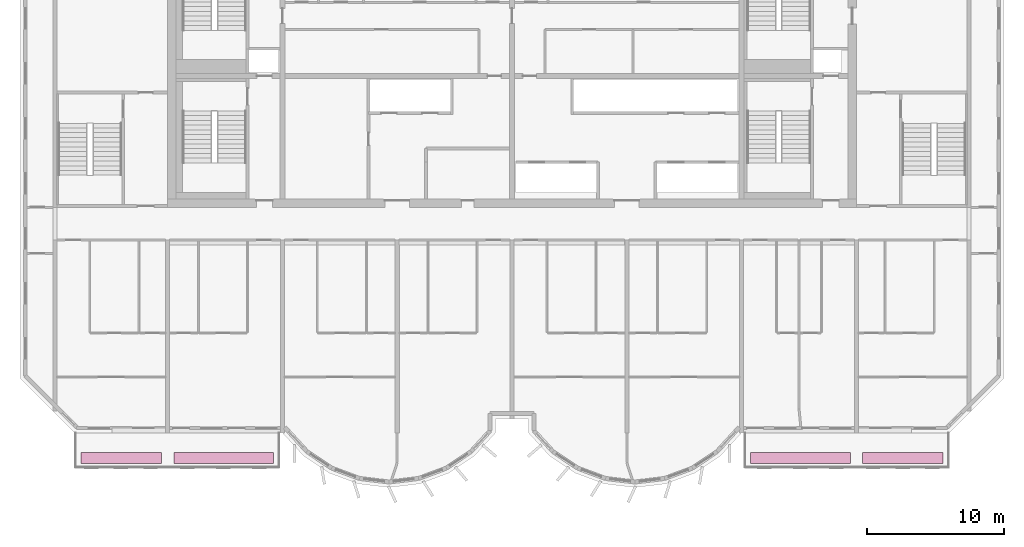
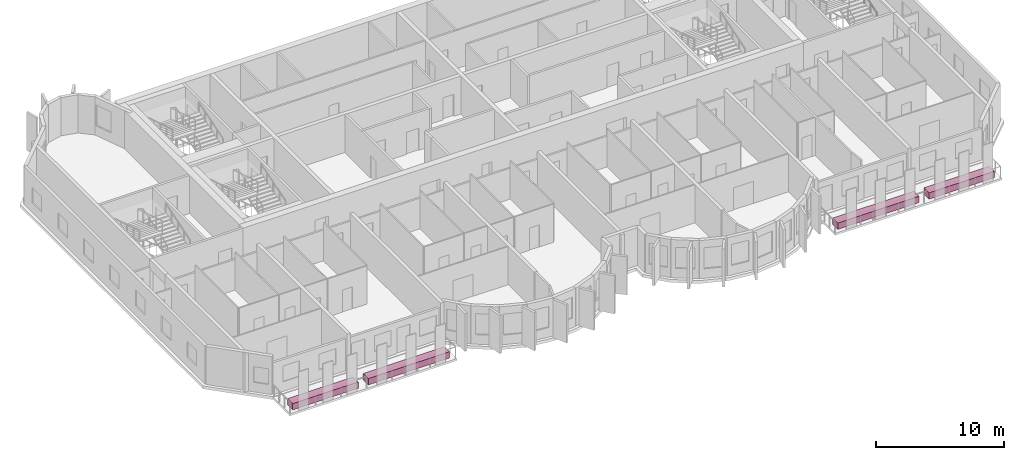
# One storey, part 11 of 11: 4 furniture elements.
"""IFC4 building model written with IfcOpenShell, lengths in metres."""

from ifc_helpers import new_model, si_unit, direction, frame, origin, origin_2d, place, context, subcontext, project, spatial, rectangle, extrude, source, transform, mapped, material, type_object, element, save


model = new_model("IFC4")

# Units and contexts
model_context = context("Model", 3, precision=1e-05, world=origin(), true_north=direction((0.0, 1.0)))
body_context = subcontext(model_context, "Body", "Model", "MODEL_VIEW")
ifc_project = project(units=[si_unit("LENGTHUNIT", "METRE"), si_unit("AREAUNIT", "SQUARE_METRE"), si_unit("VOLUMEUNIT", "CUBIC_METRE"), si_unit("PLANEANGLEUNIT", "RADIAN"), si_unit("MASSUNIT", "GRAM", prefix="KILO")], contexts=[model_context])

# Site, building, storey
site_placement = place(None, origin())
site = spatial("IfcSite", under=ifc_project, at=site_placement, CompositionType="ELEMENT")
building_placement = place(site_placement, origin())
building = spatial("IfcBuilding", under=site, at=building_placement, Name="Vanashikhar Sky Hotel", CompositionType="ELEMENT")
storey_placement = place(building_placement, frame((0.0, 0.0, 249.10009765625)))
storey = spatial("IfcBuildingStorey", under=building, at=storey_placement, Name="L60", CompositionType="ELEMENT", Elevation=249.10009765625)

# Furniture
ifc_material = material(Name="Planting soil and shrubs")
furniture_type = type_object("IfcFurnitureType", Name="Planter trough", AssemblyPlace="NOTDEFINED", PredefinedType="USERDEFINED", material=ifc_material)
shared_shape_1 = source(origin(), body_context, "Body", "SweptSolid", [
    extrude(rectangle(XDim=7.300048828125, YDim=0.800048828125, at=origin_2d()), origin(), (0.0, 0.0, 1.0), 0.60009765625),
])
for number, where, z_axis, x_axis, name in (
    (1, (29.300048828125, 3.64990234375, -0.050048828125), (0.0, 0.0, 1.0), (1.0, 0.0, 0.0), "PLANTER with climbers"),
    (2, (71.5, 3.64990234375, -0.050048828125), (0.0, 0.0, 1.0), (1.0, 0.0, 0.0), "PLANTER with climbers"),
):
    element("IfcFurniture", number, at=place(storey_placement, frame(where, z_axis=z_axis, x_axis=x_axis)), inside=storey, type_object=furniture_type, Name=name, ObjectType="PLANTER", PredefinedType="USERDEFINED", context=body_context, shape_type="MappedRepresentation", body=[
        mapped(shared_shape_1, transform((0.0, 0.0, 0.0), scale=1.0)),
    ])
shared_shape_2 = source(origin(), body_context, "Body", "SweptSolid", [
    extrude(rectangle(XDim=5.89990234375, YDim=0.800048828125, at=origin_2d()), origin(), (0.0, 0.0, 1.0), 0.60009765625),
])
for number, where, z_axis, x_axis, name in (
    (3, (21.800048828125, 3.64990234375, -0.050048828125), (0.0, 0.0, 1.0), (1.0, 0.0, 0.0), "PLANTER with climbers"),
    (4, (79.0, 3.64990234375, -0.050048828125), (0.0, 0.0, 1.0), (1.0, 0.0, 0.0), "PLANTER with climbers"),
):
    element("IfcFurniture", number, at=place(storey_placement, frame(where, z_axis=z_axis, x_axis=x_axis)), inside=storey, type_object=furniture_type, Name=name, ObjectType="PLANTER", PredefinedType="USERDEFINED", context=body_context, shape_type="MappedRepresentation", body=[
        mapped(shared_shape_2, transform((0.0, 0.0, 0.0), scale=1.0)),
    ])

save(model, "model.ifc")
